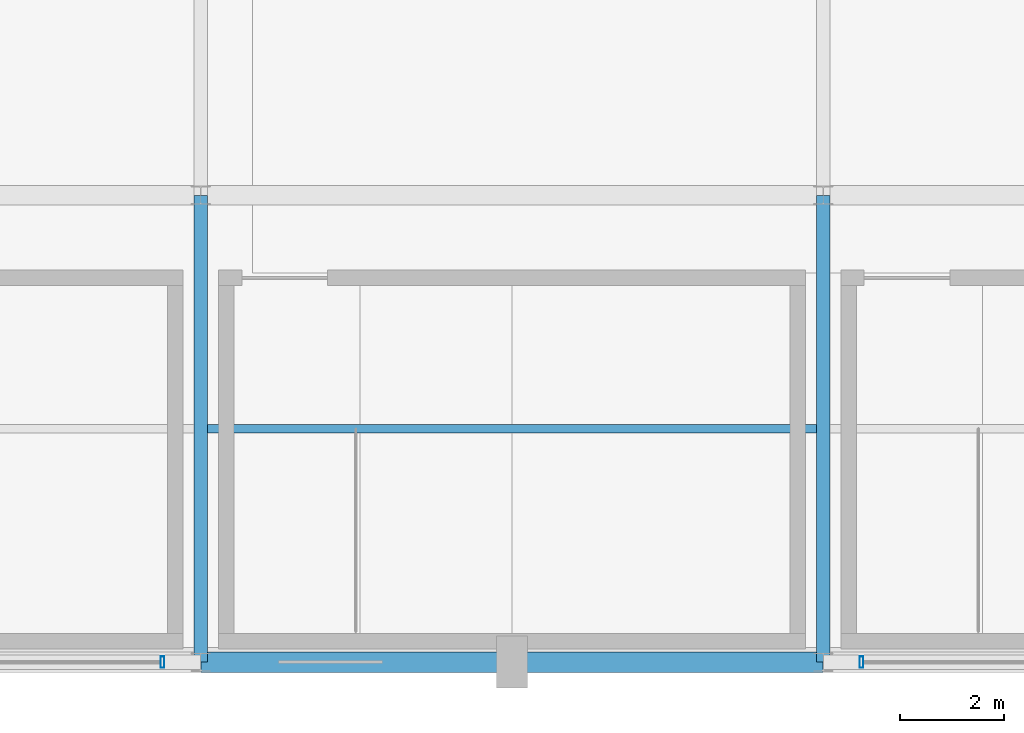
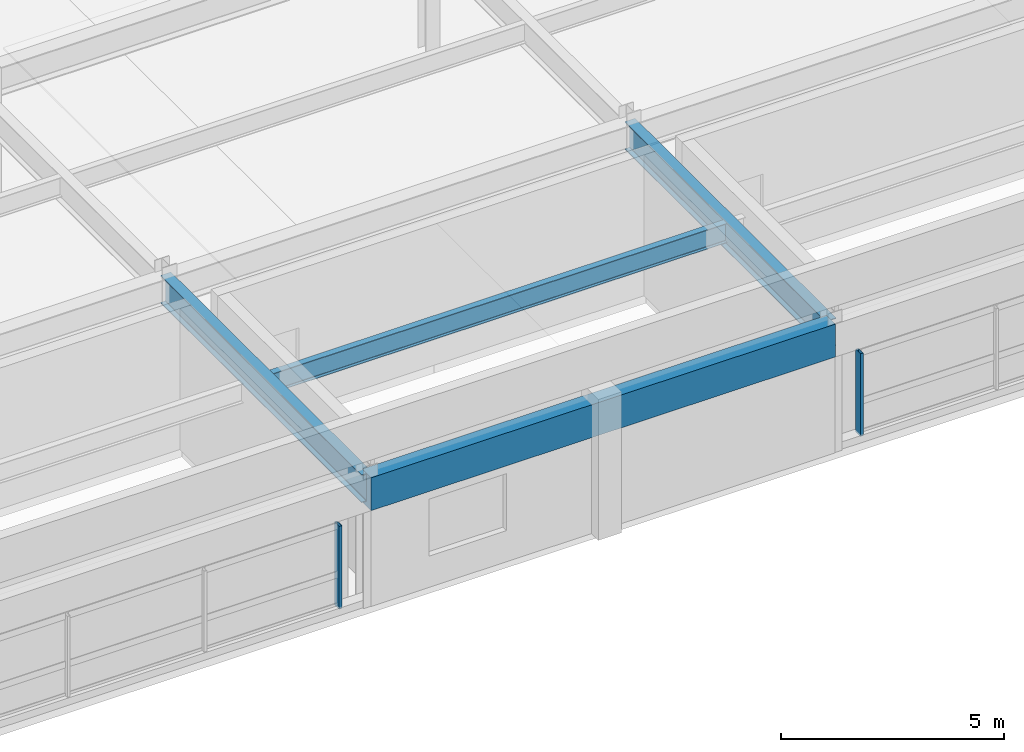
# One storey, part 36 of 108: 4 beams, 2 members, 2 elements without a shape of their own.
"""IFC4 building model written with IfcOpenShell, lengths in metres."""

from ifc_helpers import new_model, si_unit, direction, frame, origin, origin_2d, place, context, subcontext, project, spatial, rectangle, hollow_rectangle, i_section, extrude, material, material_profile, profile_set, type_object, element, aggregate, save


model = new_model("IFC4")

# Units and contexts
model_context = context("Model", 3, precision=1e-05, world=origin(), true_north=direction((0.0, 1.0)))
body_context = subcontext(model_context, "Body", "Model", "MODEL_VIEW")
ifc_project = project(units=[si_unit("LENGTHUNIT", "METRE"), si_unit("AREAUNIT", "SQUARE_METRE"), si_unit("VOLUMEUNIT", "CUBIC_METRE"), si_unit("PLANEANGLEUNIT", "RADIAN"), si_unit("MASSUNIT", "GRAM", prefix="KILO")], contexts=[model_context])

# Site, building, storey
site_placement = place(None, origin())
site = spatial("IfcSite", under=ifc_project, at=site_placement, CompositionType="ELEMENT")
building_placement = place(site_placement, origin())
building = spatial("IfcBuilding", under=site, at=building_placement, Name="Kaldorvane Square Convention Centre", CompositionType="ELEMENT")
storey_placement = place(building_placement, frame((0.0, 0.0, 23.399993896484375)))
storey = spatial("IfcBuildingStorey", under=building, at=storey_placement, Name="L04", CompositionType="ELEMENT", Elevation=23.399993896484375)

# Beams
ifc_material_1 = material(Name="Steel ASTM A992 Gr. 50", Category="steel")
ifc_material_profile_1 = material_profile(ifc_material_1, i_section(OverallWidth=0.2666015625, OverallDepth=0.762298583984375, WebThickness=0.014404296875, FlangeThickness=0.0216064453125, FilletRadius=0.0164947509765625, at=origin_2d()), Name="W30X116")
ifc_profile_set_1 = profile_set([ifc_material_profile_1], Name="Steel ASTM A992 Gr. 50")
beam_type_1 = type_object("IfcBeamType", Name="BM-GR-W30X116", PredefinedType="BEAM", material=ifc_profile_set_1)
for number, where, z_axis, x_axis, name in (
    (1, (114.0, 0.0, 3.144805908203125), (0.0, 1.0, 0.0), (-1.0, 0.0, 0.0), "Transverse Girder (L04)"),
    (2, (126.0, 0.0, 3.144805908203125), (0.0, 1.0, 0.0), (-1.0, 0.0, 0.0), "Transverse Girder (L04)"),
):
    element("IfcBeam", number, at=place(storey_placement, frame(where, z_axis=z_axis, x_axis=x_axis)), inside=storey, type_object=beam_type_1, Name=name, PredefinedType="BEAM", context=body_context, shape_type="SweptSolid", body=[
        extrude(i_section(OverallWidth=0.2666015625, OverallDepth=0.762298583984375, WebThickness=0.014404296875, FlangeThickness=0.0216064453125, FilletRadius=0.0164947509765625, at=origin_2d()), origin(), (0.0, 0.0, 1.0), 9.0),
    ])
ifc_material_profile_2 = material_profile(ifc_material_1, i_section(OverallWidth=0.1658935546875, OverallDepth=0.5290985107421875, WebThickness=0.00970458984375, FlangeThickness=0.0135955810546875, FilletRadius=0.0126953125, at=origin_2d()), Name="W21X50")
ifc_profile_set_2 = profile_set([ifc_material_profile_2], Name="Steel ASTM A992 Gr. 50")
beam_type_2 = type_object("IfcBeamType", Name="BM-JS-W21X50", PredefinedType="JOIST", material=ifc_profile_set_2)
beam_1_placement = place(storey_placement, frame((114.13330078125, 4.5, 3.26141357421875), z_axis=(1.0, 0.0, 0.0), x_axis=(0.0, 1.0, 0.0)))
element("IfcBeam", 3, at=beam_1_placement, inside=storey, type_object=beam_type_2, Name="Secondary Floor Joist (L04)", PredefinedType="JOIST", context=body_context, shape_type="SweptSolid", body=[
    extrude(i_section(OverallWidth=0.1658935546875, OverallDepth=0.5290985107421875, WebThickness=0.00970458984375, FlangeThickness=0.0135955810546875, FilletRadius=0.0126953125, at=origin_2d()), origin(), (0.0, 0.0, 1.0), 11.7333984375),
])
ifc_material_2 = material(Name="Concrete f'c = 42 MPa (Normalweight)", Category="concrete")
ifc_material_profile_3 = material_profile(ifc_material_2, rectangle(XDim=0.399993896484375, YDim=0.899993896484375, at=origin_2d()), Name="RCSP900X400")
ifc_profile_set_3 = profile_set([ifc_material_profile_3], Name="Concrete f'c = 42 MPa (Normalweight)")
beam_type_3 = type_object("IfcBeamType", Name="BM-SP-RC900", PredefinedType="SPANDREL", material=ifc_profile_set_3)
beam_2_placement = place(storey_placement, frame((114.0, 0.0, 3.0760040283203125), z_axis=(1.0, 0.0, 0.0), x_axis=(0.0, 1.0, 0.0)))
element("IfcBeam", 4, at=beam_2_placement, inside=storey, type_object=beam_type_3, Name="Perimeter Spandrel (L04)", PredefinedType="SPANDREL", context=body_context, shape_type="SweptSolid", body=[
    extrude(rectangle(XDim=0.399993896484375, YDim=0.899993896484375, at=origin_2d()), origin(), (0.0, 0.0, 1.0), 12.0),
])

# Curtain wall, member
ifc_material_3 = material(Name="Anodized Aluminum and Low-E Insulated Glazing", Category="aluminium")
curtain_wall_type = type_object("IfcCurtainWallType", Name="CW-UNI-P42-12", PredefinedType="USERDEFINED", material=ifc_material_3)
curtain_wall_1_placement = place(storey_placement, origin())
curtain_wall_1 = element("IfcCurtainWall", 5, at=curtain_wall_1_placement, inside=storey, type_object=curtain_wall_type, Name="Curtain Wall CW-05 (L04)", ObjectType="UNITISED GLAZING", PredefinedType="USERDEFINED")
ifc_material_profile_4 = material_profile(ifc_material_3, hollow_rectangle(XDim=0.0749969482421875, YDim=0.220001220703125, WallThickness=0.003997802734375, at=origin_2d()), Name="CWM-220X75")
ifc_profile_set_4 = profile_set([ifc_material_profile_4], Name="Anodized Aluminum and Low-E Insulated Glazing")
member_type = type_object("IfcMemberType", Name="CW-MUL-220", PredefinedType="MULLION", material=ifc_profile_set_4)
member_1_placement = place(storey_placement, frame((113.26249694824219, 0.0, 0.1500091552734375), z_axis=(0.0, 0.0, 1.0), x_axis=(1.0, 0.0, 0.0)))
member_1 = element("IfcMember", 6, at=member_1_placement, type_object=member_type, Name="CW-05 mullion 4", PredefinedType="MULLION", context=body_context, shape_type="SweptSolid", body=[
    extrude(hollow_rectangle(XDim=0.0749969482421875, YDim=0.220001220703125, WallThickness=0.003997802734375, at=origin_2d()), origin(), (0.0, 0.0, 1.0), 2.2599945068359375),
])
aggregate(curtain_wall_1, [member_1])

curtain_wall_2_placement = place(storey_placement, origin())
curtain_wall_2 = element("IfcCurtainWall", 7, at=curtain_wall_2_placement, inside=storey, type_object=curtain_wall_type, Name="Curtain Wall CW-05 (L04)", ObjectType="UNITISED GLAZING", PredefinedType="USERDEFINED")
member_2_placement = place(storey_placement, frame((126.73750305175781, 0.0, 0.1500091552734375), z_axis=(0.0, 0.0, 1.0), x_axis=(1.0, 0.0, 0.0)))
member_2 = element("IfcMember", 8, at=member_2_placement, type_object=member_type, Name="CW-05 mullion 1", PredefinedType="MULLION", context=body_context, shape_type="SweptSolid", body=[
    extrude(hollow_rectangle(XDim=0.0749969482421875, YDim=0.220001220703125, WallThickness=0.003997802734375, at=origin_2d()), origin(), (0.0, 0.0, 1.0), 2.2599945068359375),
])
aggregate(curtain_wall_2, [member_2])

save(model, "model.ifc")
